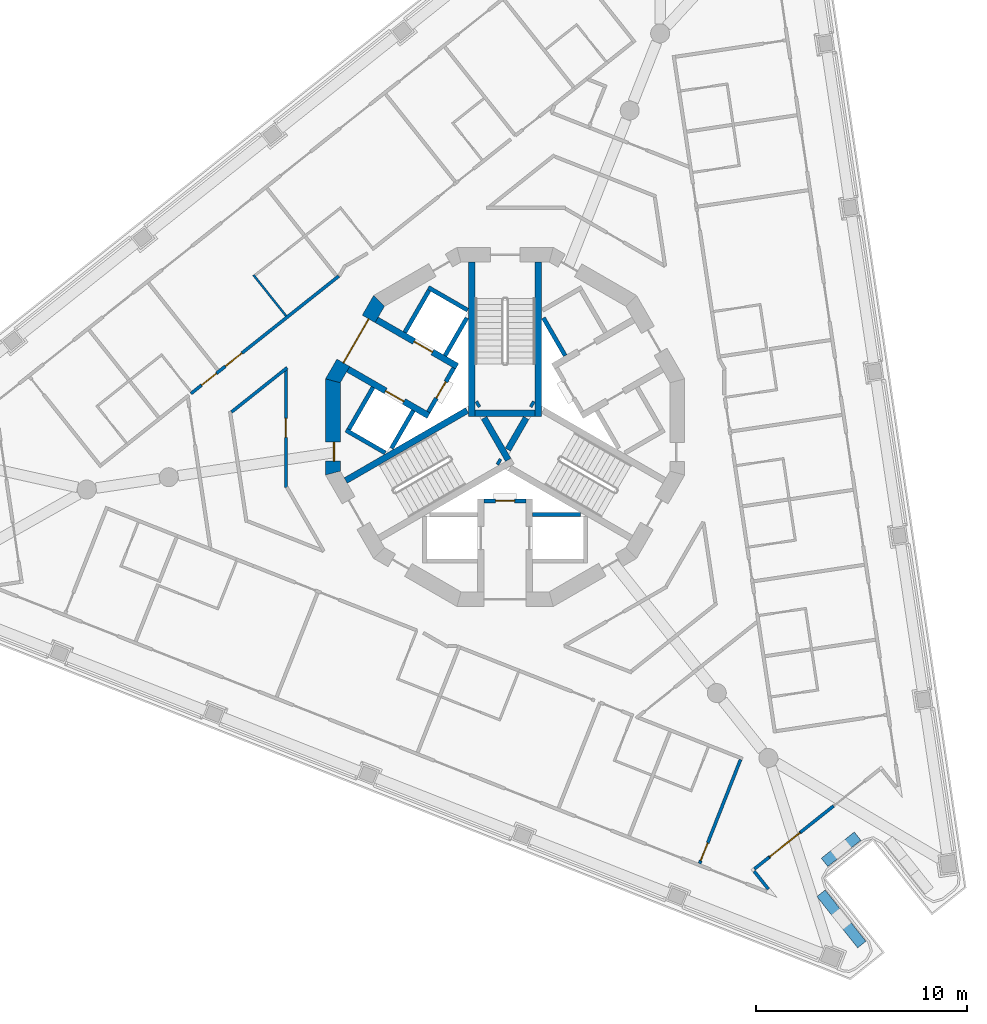
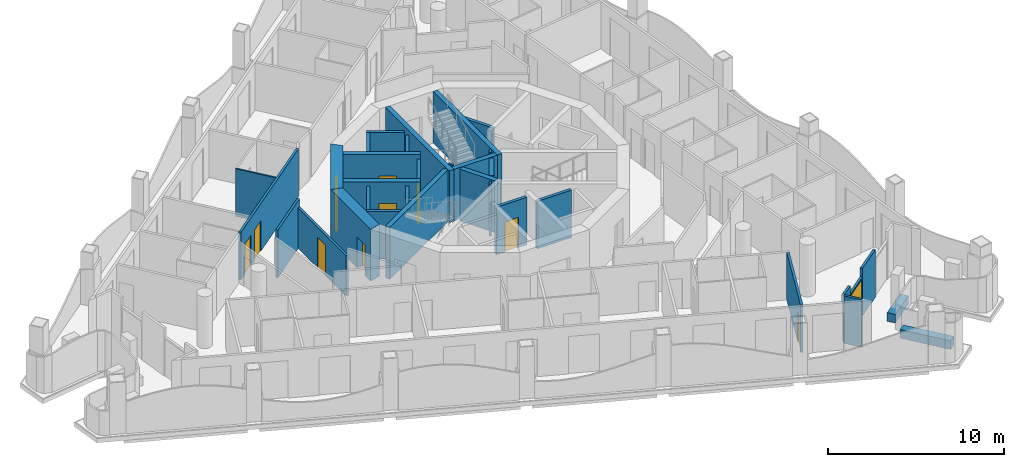
# One storey, part 4 of 16: 34 walls, 11 doors, 11 openings.
"""IFC4 building model written with IfcOpenShell, lengths in metres."""

from ifc_helpers import new_model, si_unit, direction, frame, frame_2d, origin, place, context, subcontext, project, spatial, polyline, rectangle, outline, extrude, material, layer, layer_set, type_object, element, fill, save


model = new_model("IFC4")

# Units and contexts
model_context = context("Model", 3, precision=1e-05, world=origin(), true_north=direction((0.0, 1.0)))
body_context = subcontext(model_context, "Body", "Model", "MODEL_VIEW")
ifc_project = project(units=[si_unit("LENGTHUNIT", "METRE"), si_unit("AREAUNIT", "SQUARE_METRE"), si_unit("VOLUMEUNIT", "CUBIC_METRE"), si_unit("PLANEANGLEUNIT", "RADIAN"), si_unit("MASSUNIT", "GRAM", prefix="KILO")], contexts=[model_context])

# Site, building, storey
site_placement = place(None, origin())
site = spatial("IfcSite", under=ifc_project, at=site_placement, CompositionType="ELEMENT")
building_placement = place(site_placement, origin())
building = spatial("IfcBuilding", under=site, at=building_placement, Name="Trine Commons Tower", CompositionType="ELEMENT")
storey_placement = place(building_placement, frame((0.0, 0.0, 223.199951171875)))
storey = spatial("IfcBuildingStorey", under=building, at=storey_placement, Name="L58", CompositionType="ELEMENT", Elevation=223.199951171875)

# Wall
ifc_material_1 = material(Name="Aluminium-framed insulated wall panel", Category="aluminium")
ifc_layer_1 = layer(ifc_material_1, 0.14990234375)
ifc_layer_set_1 = layer_set([ifc_layer_1], Name="Aluminium-framed insulated wall panel")
wall_type_1 = type_object("IfcWallType", Name="Glazed frame wall 150, EI 60", PredefinedType="SOLIDWALL", material=ifc_layer_set_1)
wall_1_placement = place(storey_placement, frame((95.546142578125, 44.562255859375, 0.0), z_axis=(0.0, 0.0, 1.0), x_axis=(-0.782580779818, -0.622549052733, 0.0)))
element("IfcWall", 1, at=wall_1_placement, inside=storey, type_object=wall_type_1, Name="Glazed frame wall P2.3", PredefinedType="SOLIDWALL", context=body_context, shape_type="SweptSolid", body=[
    extrude(outline(polyline([(0.0, -0.074951171875), (2.0, -0.074951171875), (2.0, 0.074951171875), (0.0, 0.074951171875), (0.0, -0.074951171875)])), origin(), (0.0, 0.0, 1.0), 3.300048828125),
])

# Wall, opening, door
wall_2_placement = place(storey_placement, frame((93.98095703125, 43.317138671875, 0.0), z_axis=(0.0, 0.0, 1.0), x_axis=(-0.782670764896, -0.622435919415, 0.0)))
wall_2 = element("IfcWall", 2, at=wall_2_placement, inside=storey, type_object=wall_type_1, Name="Glazed frame wall P2.4", PredefinedType="SOLIDWALL", context=body_context, shape_type="SweptSolid", body=[
    extrude(outline(polyline([(0.0, -0.074951171875), (1.89990234375, -0.074951171875), (1.89990234375, 0.074951171875), (0.0, 0.074951171875), (0.0, -0.074951171875)])), origin(), (0.0, 0.0, 1.0), 2.699951171875),
])
opening_1_placement = place(wall_2_placement, frame((0.050048828125, 0.0, 0.0)))
opening_1 = element("IfcOpeningElement", 3, at=opening_1_placement, cuts=wall_2, Name="Opening BD-6P2-02", PredefinedType="OPENING", context=body_context, shape_type="SweptSolid", body=[
    extrude(rectangle(XDim=1.800048828125, YDim=2.60009765625, at=frame_2d((0.89990234375, 1.300048828125))), frame((0.0, 0.0849609375, 0.0), z_axis=(0.0, -1.0, 0.0), x_axis=(1.0, 0.0, 0.0)), (0.0, 0.0, 1.0), 0.169921875),
])
ifc_material_2 = material(Name="Anodised aluminium frame with double glazing", Category="aluminium")
door_type_1 = type_object("IfcDoorType", Name="Sliding loggia door 1800x2600", OperationType="SLIDING_TO_LEFT", PredefinedType="DOOR", material=ifc_material_2)
door_1_placement = place(opening_1_placement, origin())
door_1 = element("IfcDoor", 4, at=door_1_placement, inside=storey, type_object=door_type_1, Name="Loggia door P2 2", OperationType="SLIDING_TO_LEFT", OverallHeight=2.60009765625, OverallWidth=1.800048828125, PredefinedType="DOOR", context=body_context, shape_type="SweptSolid", body=[
    extrude(rectangle(XDim=1.800048828125, YDim=2.60009765625, at=frame_2d((0.89990234375, 1.300048828125))), frame((0.0, 0.02490234375, 0.0), z_axis=(0.0, -1.0, 0.0), x_axis=(1.0, 0.0, 0.0)), (0.0, 0.0, 1.0), 0.050048828125),
])
fill(opening_1, door_1)

# Walls
wall_3_placement = place(storey_placement, frame((92.493896484375, 42.134521484375, 0.0), z_axis=(0.0, 0.0, 1.0), x_axis=(-0.782628082779, -0.622489585492, 0.0)))
element("IfcWall", 5, at=wall_3_placement, inside=storey, type_object=wall_type_1, Name="Glazed frame wall P2.5", PredefinedType="SOLIDWALL", context=body_context, shape_type="SweptSolid", body=[
    extrude(outline(polyline([(0.889892578125, 0.074951171875), (0.0, 0.074951171875), (0.0, -0.074951171875), (0.889892578125, -0.074951171875), (0.889892578125, 0.074951171875)])), origin(), (0.0, 0.0, 1.0), 3.300048828125),
])
wall_4_placement = place(storey_placement, frame((91.716796875, 41.56103515625, 0.0), z_axis=(0.0, 0.0, 1.0), x_axis=(0.622611995912, -0.7825307039, 0.0)))
element("IfcWall", 6, at=wall_4_placement, inside=storey, type_object=wall_type_1, Name="Glazed frame wall R8", PredefinedType="SOLIDWALL", context=body_context, shape_type="SweptSolid", body=[
    extrude(outline(polyline([(0.110107421875, 0.074951171875), (0.110107421875, -0.074951171875), (1.19580078125, -0.074951171875), (1.19580078125, 0.074951171875), (0.110107421875, 0.074951171875)])), origin(), (0.0, 0.0, 1.0), 3.300048828125),
])

# Wall, opening, door
ifc_material_3 = material(Name="Fire-rated gypsum shaft wall system")
ifc_layer_2 = layer(ifc_material_3, 0.199951171875)
ifc_layer_set_2 = layer_set([ifc_layer_2], Name="Fire-rated gypsum shaft wall system")
wall_type_2 = type_object("IfcWallType", Name="Lobby end wall 200 mm, EI 120", PredefinedType="PARTITIONING", material=ifc_layer_set_2)
wall_5_placement = place(storey_placement, frame((77.569091796875, 65.2890625, 0.0), z_axis=(0.0, 0.0, 1.0), x_axis=(-0.50012165622, -0.865955154139, 0.0)))
wall_5 = element("IfcWall", 7, at=wall_5_placement, inside=storey, type_object=wall_type_2, Name="Lobby end wall L58", PredefinedType="PARTITIONING", context=body_context, shape_type="SweptSolid", body=[
    extrude(rectangle(XDim=2.39990234375, YDim=0.199951171875, at=frame_2d((1.199951171875, 0.0))), origin(), (0.0, 0.0, 1.0), 3.300048828125),
])
opening_2_placement = place(wall_5_placement, frame((0.749755859375, 0.0, 0.0)))
opening_2 = element("IfcOpeningElement", 8, at=opening_2_placement, cuts=wall_5, Name="Opening K16.07", PredefinedType="OPENING", context=body_context, shape_type="SweptSolid", body=[
    extrude(rectangle(XDim=0.89990234375, YDim=2.10009765625, at=frame_2d((0.449951171875, 1.050048828125))), frame((0.0, 0.10986328125, 0.0), z_axis=(0.0, -1.0, 0.0), x_axis=(1.0, 0.0, 0.0)), (0.0, 0.0, 1.0), 0.219970703125),
])
ifc_material_4 = material(Name="Steel door leaf, fire-rated", Category="steel")
door_type_2 = type_object("IfcDoorType", Name="Riser access door, single leaf 900 x 2100, FD60", OperationType="SINGLE_SWING_LEFT", PredefinedType="DOOR", material=ifc_material_4)
door_2_placement = place(opening_2_placement, frame((0.89990234375, 0.0, 0.0), z_axis=(0.0, 0.0, 1.0), x_axis=(-1.0, 0.0, 0.0)))
door_2 = element("IfcDoor", 9, at=door_2_placement, inside=storey, type_object=door_type_2, Name="Riser door, Mechanical riser L58", OperationType="SINGLE_SWING_RIGHT", OverallHeight=2.10009765625, OverallWidth=0.89990234375, PredefinedType="DOOR", context=body_context, shape_type="SweptSolid", body=[
    extrude(rectangle(XDim=0.89990234375, YDim=2.10009765625, at=frame_2d((0.449951171875, 1.050048828125))), frame((0.0, 0.02490234375, 0.0), z_axis=(0.0, -1.0, 0.0), x_axis=(1.0, 0.0, 0.0)), (0.0, 0.0, 1.0), 0.050048828125),
])
fill(opening_2, door_2)

wall_6_placement = place(storey_placement, frame((79.0, 59.0, 0.0), z_axis=(0.0, 0.0, 1.0), x_axis=(1.0, 0.0, 0.0)))
wall_6 = element("IfcWall", 10, at=wall_6_placement, inside=storey, type_object=wall_type_2, Name="Lobby end wall L58", PredefinedType="PARTITIONING", context=body_context, shape_type="SweptSolid", body=[
    extrude(rectangle(XDim=2.0, YDim=0.199951171875, at=frame_2d((1.0, 0.0))), origin(), (0.0, 0.0, 1.0), 3.300048828125),
])
opening_3_placement = place(wall_6_placement, frame((0.550048828125, 0.0, 0.0)))
opening_3 = element("IfcOpeningElement", 11, at=opening_3_placement, cuts=wall_6, Name="Opening K16.09", PredefinedType="OPENING", context=body_context, shape_type="SweptSolid", body=[
    extrude(rectangle(XDim=0.89990234375, YDim=2.10009765625, at=frame_2d((0.449951171875, 1.050048828125))), frame((0.0, 0.10986328125, 0.0), z_axis=(0.0, -1.0, 0.0), x_axis=(1.0, 0.0, 0.0)), (0.0, 0.0, 1.0), 0.219970703125),
])
door_3_placement = place(opening_3_placement, frame((0.89990234375, 0.0, 0.0), z_axis=(0.0, 0.0, 1.0), x_axis=(-1.0, 0.0, 0.0)))
door_3 = element("IfcDoor", 12, at=door_3_placement, inside=storey, type_object=door_type_2, Name="Riser door, Communications riser L58", OperationType="SINGLE_SWING_RIGHT", OverallHeight=2.10009765625, OverallWidth=0.89990234375, PredefinedType="DOOR", context=body_context, shape_type="SweptSolid", body=[
    extrude(rectangle(XDim=0.89990234375, YDim=2.10009765625, at=frame_2d((0.449951171875, 1.050048828125))), frame((0.0, 0.02490234375, 0.0), z_axis=(0.0, -1.0, 0.0), x_axis=(1.0, 0.0, 0.0)), (0.0, 0.0, 1.0), 0.050048828125),
])
fill(opening_3, door_3)

# Walls
ifc_material_5 = material(Name="Planter trough, precast concrete C40/50", Category="concrete")
ifc_layer_3 = layer(ifc_material_5, 0.5)
ifc_layer_set_3 = layer_set([ifc_layer_3], Name="Planter trough, precast concrete C40/50")
wall_type_3 = type_object("IfcWallType", Name="Planter trough 500x600", PredefinedType="PARAPET", material=ifc_layer_set_3)
wall_7_placement = place(storey_placement, frame((96.68212890625, 43.134033203125, 0.0), z_axis=(0.0, 0.0, 1.0), x_axis=(-0.782580779818, -0.622549052733, 0.0)))
element("IfcWall", 13, at=wall_7_placement, inside=storey, type_object=wall_type_3, Name="Planter 8", PredefinedType="PARAPET", context=body_context, shape_type="SweptSolid", body=[
    extrude(rectangle(XDim=2.0, YDim=0.5, at=frame_2d((1.0, 0.0))), origin(), (0.0, 0.0, 1.0), 0.60009765625),
])
wall_8_placement = place(storey_placement, frame((94.950439453125, 40.427490234375, 0.0), z_axis=(0.0, 0.0, 1.0), x_axis=(0.622550971161, -0.782579253691, 0.0)))
element("IfcWall", 14, at=wall_8_placement, inside=storey, type_object=wall_type_3, Name="Planter 9", PredefinedType="PARAPET", context=body_context, shape_type="SweptSolid", body=[
    extrude(rectangle(XDim=3.10009765625, YDim=0.5, at=frame_2d((1.550048828125, 0.0))), origin(), (0.0, 0.0, 1.0), 0.60009765625),
])

# Wall, opening, door
ifc_material_6 = material(Name="Concrete C60/75", Category="concrete")
ifc_layer_4 = layer(ifc_material_6, 0.300048828125)
ifc_layer_set_4 = layer_set([ifc_layer_4], Name="Concrete C60/75")
wall_type_4 = type_object("IfcWallType", Name="RC shear wall 300 mm, C60/75", PredefinedType="SHEAR", material=ifc_layer_set_4)
wall_9_placement = place(storey_placement, frame((76.381103515625, 63.031005859375, 0.0), z_axis=(0.0, 0.0, 1.0), x_axis=(-0.866059941101, 0.499940174841, 0.0)))
wall_9 = element("IfcWall", 15, at=wall_9_placement, inside=storey, type_object=wall_type_4, Name="Core cross wall SWC-01 L58", PredefinedType="SHEAR", context=body_context, shape_type="SweptSolid", body=[
    extrude(rectangle(XDim=4.400390625, YDim=0.300048828125, at=frame_2d((2.2001953125, 0.0))), origin(), (0.0, 0.0, 1.0), 3.60009765625),
])
opening_4_placement = place(wall_9_placement, frame((1.350341796875, 0.0, 0.0)))
opening_4 = element("IfcOpeningElement", 16, at=opening_4_placement, cuts=wall_9, Name="Opening LD7", PredefinedType="OPENING", context=body_context, shape_type="SweptSolid", body=[
    extrude(rectangle(XDim=1.0, YDim=2.10009765625, at=frame_2d((0.5, 1.050048828125))), frame((0.0, 0.159912109375, 0.0), z_axis=(0.0, -1.0, 0.0), x_axis=(1.0, 0.0, 0.0)), (0.0, 0.0, 1.0), 0.320068359375),
])
ifc_material_7 = material(Name="Stainless steel sliding door leaves", Category="steel")
door_type_3 = type_object("IfcDoorType", Name="Lift landing door, centre-opening sliding 1000 x 2100, FD90", OperationType="DOUBLE_DOOR_SLIDING", PredefinedType="DOOR", material=ifc_material_7)
door_4_placement = place(opening_4_placement, origin())
door_4 = element("IfcDoor", 17, at=door_4_placement, inside=storey, type_object=door_type_3, Name="Lift landing door HR3 L58", OperationType="DOUBLE_DOOR_SLIDING", OverallHeight=2.10009765625, OverallWidth=1.0, PredefinedType="DOOR", context=body_context, shape_type="SweptSolid", body=[
    extrude(rectangle(XDim=1.0, YDim=2.10009765625, at=frame_2d((0.5, 1.050048828125))), frame((0.0, 0.02490234375, 0.0), z_axis=(0.0, -1.0, 0.0), x_axis=(1.0, 0.0, 0.0)), (0.0, 0.0, 1.0), 0.050048828125),
])
fill(opening_4, door_4)

wall_10_placement = place(storey_placement, frame((77.73095703125, 65.368896484375, 0.0), z_axis=(0.0, 0.0, 1.0), x_axis=(-0.866035918664, 0.499981787252, 0.0)))
wall_10 = element("IfcWall", 18, at=wall_10_placement, inside=storey, type_object=wall_type_4, Name="Core cross wall SWC-02 L58", PredefinedType="SHEAR", context=body_context, shape_type="SweptSolid", body=[
    extrude(rectangle(XDim=4.400634765625, YDim=0.300048828125, at=frame_2d((2.2001953125, 0.0))), origin(), (0.0, 0.0, 1.0), 3.60009765625),
])
opening_5_placement = place(wall_10_placement, frame((1.3505859375, 0.0, 0.0)))
opening_5 = element("IfcOpeningElement", 19, at=opening_5_placement, cuts=wall_10, Name="Opening LD8", PredefinedType="OPENING", context=body_context, shape_type="SweptSolid", body=[
    extrude(rectangle(XDim=1.0, YDim=2.10009765625, at=frame_2d((0.5, 1.050048828125))), frame((0.0, 0.159912109375, 0.0), z_axis=(0.0, -1.0, 0.0), x_axis=(1.0, 0.0, 0.0)), (0.0, 0.0, 1.0), 0.320068359375),
])
door_5_placement = place(opening_5_placement, origin())
door_5 = element("IfcDoor", 20, at=door_5_placement, inside=storey, type_object=door_type_3, Name="Lift landing door HR4 L58", OperationType="DOUBLE_DOOR_SLIDING", OverallHeight=2.10009765625, OverallWidth=1.0, PredefinedType="DOOR", context=body_context, shape_type="SweptSolid", body=[
    extrude(rectangle(XDim=1.0, YDim=2.10009765625, at=frame_2d((0.5, 1.050048828125))), frame((0.0, 0.02490234375, 0.0), z_axis=(0.0, -1.0, 0.0), x_axis=(1.0, 0.0, 0.0)), (0.0, 0.0, 1.0), 0.050048828125),
])
fill(opening_5, door_5)

# Walls
wall_11_placement = place(storey_placement, frame((78.199951171875, 63.280029296875, 0.0), z_axis=(0.0, 0.0, 1.0), x_axis=(-0.866009627307, -0.500027324665, 0.0)))
element("IfcWall", 21, at=wall_11_placement, inside=storey, type_object=wall_type_4, Name="Core cross wall SWC-07 L58", PredefinedType="SHEAR", context=body_context, shape_type="SweptSolid", body=[
    extrude(rectangle(XDim=6.631591796875, YDim=0.300048828125, at=frame_2d((3.31591796875, 0.0))), origin(), (0.0, 0.0, 1.0), 3.60009765625),
])
wall_12_placement = place(storey_placement, frame((78.425048828125, 63.0009765625, 0.0), z_axis=(0.0, 0.0, 1.0), x_axis=(0.0, 1.0, 0.0)))
element("IfcWall", 22, at=wall_12_placement, inside=storey, type_object=wall_type_4, Name="Core cross wall SWC-08 L58", PredefinedType="SHEAR", context=body_context, shape_type="SweptSolid", body=[
    extrude(rectangle(XDim=7.299072265625, YDim=0.300048828125, at=frame_2d((3.6494140625, 0.0))), origin(), (0.0, 0.0, 1.0), 3.60009765625),
])
wall_13_placement = place(storey_placement, frame((78.779052734375, 63.614013671875, 0.0), z_axis=(0.0, 0.0, 1.0), x_axis=(-0.867737973955, -0.497021939713, 0.0)))
element("IfcWall", 23, at=wall_13_placement, inside=storey, type_object=wall_type_4, Name="Core cross wall SWC-09 L58", PredefinedType="SHEAR", context=body_context, shape_type="SweptSolid", body=[
    extrude(rectangle(XDim=0.14892578125, YDim=0.300048828125, at=frame_2d((0.074462890625, 0.0))), origin(), (0.0, 0.0, 1.0), 3.60009765625),
])
wall_14_placement = place(storey_placement, frame((79.0029296875, 62.926025390625, 0.0), z_axis=(0.0, 0.0, 1.0), x_axis=(0.499965247104, -0.866045467449, 0.0)))
element("IfcWall", 24, at=wall_14_placement, inside=storey, type_object=wall_type_4, Name="Core cross wall SWC-10 L58", PredefinedType="SHEAR", context=body_context, shape_type="SweptSolid", body=[
    extrude(rectangle(XDim=2.292236328125, YDim=0.300048828125, at=frame_2d((1.14599609375, 0.0))), origin(), (0.0, 0.0, 1.0), 3.60009765625),
])
wall_15_placement = place(storey_placement, frame((79.64599609375, 60.885986328125, 0.0), z_axis=(0.0, 0.0, 1.0), x_axis=(0.867331893649, -0.497730234424, 0.0)))
element("IfcWall", 25, at=wall_15_placement, inside=storey, type_object=wall_type_4, Name="Core cross wall SWC-11 L58", PredefinedType="SHEAR", context=body_context, shape_type="SweptSolid", body=[
    extrude(rectangle(XDim=0.148681640625, YDim=0.300048828125, at=frame_2d((0.07421875, 0.0))), origin(), (0.0, 0.0, 1.0), 3.60009765625),
])
wall_16_placement = place(storey_placement, frame((80.1298828125, 61.424072265625, 0.0), z_axis=(0.0, 0.0, 1.0), x_axis=(0.500014901547, 0.866016800201, 0.0)))
element("IfcWall", 26, at=wall_16_placement, inside=storey, type_object=wall_type_4, Name="Core cross wall SWC-12 L58", PredefinedType="SHEAR", context=body_context, shape_type="SweptSolid", body=[
    extrude(rectangle(XDim=1.734375, YDim=0.300048828125, at=frame_2d((0.8671875, 0.0))), origin(), (0.0, 0.0, 1.0), 3.60009765625),
])
wall_17_placement = place(storey_placement, frame((81.220947265625, 63.614013671875, 0.0), z_axis=(0.0, 0.0, 1.0), x_axis=(0.867737973955, -0.497021939713, 0.0)))
element("IfcWall", 27, at=wall_17_placement, inside=storey, type_object=wall_type_4, Name="Core cross wall SWC-15 L58", PredefinedType="SHEAR", context=body_context, shape_type="SweptSolid", body=[
    extrude(rectangle(XDim=0.14892578125, YDim=0.300048828125, at=frame_2d((0.074462890625, 0.0))), origin(), (0.0, 0.0, 1.0), 3.60009765625),
])
wall_18_placement = place(storey_placement, frame((81.425048828125, 63.15087890625, 0.0), z_axis=(0.0, 0.0, 1.0), x_axis=(-1.0, 0.0, 0.0)))
element("IfcWall", 28, at=wall_18_placement, inside=storey, type_object=wall_type_4, Name="Core cross wall SWC-16 L58", PredefinedType="SHEAR", context=body_context, shape_type="SweptSolid", body=[
    extrude(rectangle(XDim=2.85009765625, YDim=0.300048828125, at=frame_2d((1.425048828125, 0.0))), origin(), (0.0, 0.0, 1.0), 3.60009765625),
])
wall_19_placement = place(storey_placement, frame((81.574951171875, 63.0009765625, 0.0), z_axis=(0.0, 0.0, 1.0), x_axis=(0.0, 1.0, 0.0)))
element("IfcWall", 29, at=wall_19_placement, inside=storey, type_object=wall_type_4, Name="Core cross wall SWC-17 L58", PredefinedType="SHEAR", context=body_context, shape_type="SweptSolid", body=[
    extrude(rectangle(XDim=7.299072265625, YDim=0.300048828125, at=frame_2d((3.6494140625, 0.0))), origin(), (0.0, 0.0, 1.0), 3.60009765625),
])

# Wall, opening, door
ifc_layer_5 = layer(ifc_material_6, 0.699951171875)
ifc_layer_set_5 = layer_set([ifc_layer_5], Name="Concrete C60/75")
wall_type_5 = type_object("IfcWallType", Name="RC shear wall 700 mm, C60/75", PredefinedType="SHEAR", material=ifc_layer_set_5)
wall_20_placement = place(storey_placement, frame((74.08056640625, 68.547607421875, 0.0), z_axis=(0.0, 0.0, 1.0), x_axis=(-0.499983800959, -0.866034756103, 0.0)))
wall_20 = element("IfcWall", 30, at=wall_20_placement, inside=storey, type_object=wall_type_5, Name="Core wall CWF-06 L58", PredefinedType="SHEAR", context=body_context, shape_type="SweptSolid", body=[
    extrude(outline(polyline([(0.0, -0.35009765625), (4.55517578125, -0.35009765625), (4.36767578125, 0.35009765625), (0.1875, 0.35009765625), (0.0, -0.35009765625)])), origin(), (0.0, 0.0, 1.0), 3.60009765625),
])
opening_6_placement = place(wall_20_placement, frame((1.077392578125, 0.0, 0.0)))
opening_6 = element("IfcOpeningElement", 31, at=opening_6_placement, cuts=wall_20, Name="Opening K16.06", PredefinedType="OPENING", context=body_context, shape_type="SweptSolid", body=[
    extrude(rectangle(XDim=2.39990234375, YDim=2.10009765625, at=frame_2d((1.199951171875, 1.050048828125))), frame((0.0, 0.35986328125, 0.0), z_axis=(0.0, -1.0, 0.0), x_axis=(1.0, 0.0, 0.0)), (0.0, 0.0, 1.0), 0.719970703125),
])
ifc_material_8 = material(Name="Steel door leaves, fire-rated", Category="steel")
door_type_4 = type_object("IfcDoorType", Name="Lobby door, double leaf 2400 x 2100, FD60", OperationType="DOUBLE_DOOR_SINGLE_SWING", PredefinedType="DOOR", material=ifc_material_8)
door_6_placement = place(opening_6_placement, origin())
door_6 = element("IfcDoor", 32, at=door_6_placement, inside=storey, type_object=door_type_4, Name="Lobby door, Passenger lift lobby B L58", OperationType="DOUBLE_DOOR_SINGLE_SWING", OverallHeight=2.10009765625, OverallWidth=2.39990234375, PredefinedType="DOOR", context=body_context, shape_type="SweptSolid", body=[
    extrude(rectangle(XDim=2.39990234375, YDim=2.10009765625, at=frame_2d((1.199951171875, 1.050048828125))), frame((0.0, 0.02490234375, 0.0), z_axis=(0.0, -1.0, 0.0), x_axis=(1.0, 0.0, 0.0)), (0.0, 0.0, 1.0), 0.050048828125),
])
fill(opening_6, door_6)

wall_21_placement = place(storey_placement, frame((71.849853515625, 64.777587890625, 0.0), z_axis=(0.0, 0.0, 1.0), x_axis=(0.0, -1.0, 0.0)))
wall_21 = element("IfcWall", 33, at=wall_21_placement, inside=storey, type_object=wall_type_5, Name="Core wall CWF-07 L58", PredefinedType="SHEAR", context=body_context, shape_type="SweptSolid", body=[
    extrude(outline(polyline([(0.0, -0.35009765625), (4.55517578125, -0.35009765625), (4.36767578125, 0.35009765625), (0.1875, 0.35009765625), (0.0, -0.35009765625)])), origin(), (0.0, 0.0, 1.0), 3.60009765625),
])
opening_7_placement = place(wall_21_placement, frame((2.99169921875, 0.0, 0.0)))
opening_7 = element("IfcOpeningElement", 34, at=opening_7_placement, cuts=wall_21, Name="Opening K16.14", PredefinedType="OPENING", context=body_context, shape_type="SweptSolid", body=[
    extrude(rectangle(XDim=0.89990234375, YDim=2.10009765625, at=frame_2d((0.449951171875, 1.050048828125))), frame((0.0, 0.35986328125, 0.0), z_axis=(0.0, -1.0, 0.0), x_axis=(1.0, 0.0, 0.0)), (0.0, 0.0, 1.0), 0.719970703125),
])
door_type_5 = type_object("IfcDoorType", Name="Core room door, single leaf 900 x 2100, FD30S", OperationType="SINGLE_SWING_LEFT", PredefinedType="DOOR", material=ifc_material_4)
door_7_placement = place(opening_7_placement, origin())
door_7 = element("IfcDoor", 35, at=door_7_placement, inside=storey, type_object=door_type_5, Name="Door to Pantry L58", OperationType="SINGLE_SWING_RIGHT", OverallHeight=2.10009765625, OverallWidth=0.89990234375, PredefinedType="DOOR", context=body_context, shape_type="SweptSolid", body=[
    extrude(rectangle(XDim=0.89990234375, YDim=2.10009765625, at=frame_2d((0.449951171875, 1.050048828125))), frame((0.0, 0.0751953125, 0.0), z_axis=(0.0, -1.0, 0.0), x_axis=(1.0, 0.0, 0.0)), (0.0, 0.0, 1.0), 0.050048828125),
])
fill(opening_7, door_7)

# Walls
ifc_layer_6 = layer(ifc_material_3, 0.199951171875)
ifc_layer_set_6 = layer_set([ifc_layer_6], Name="Fire-rated gypsum shaft wall system")
wall_type_6 = type_object("IfcWallType", Name="Shaft wall 200 mm, EI 120", PredefinedType="PARTITIONING", material=ifc_layer_set_6)
wall_22_placement = place(storey_placement, frame((73.7509765625, 64.3759765625, 0.0), z_axis=(0.0, 0.0, 1.0), x_axis=(-0.500136062276, -0.86594683394, 0.0)))
element("IfcWall", 36, at=wall_22_placement, inside=storey, type_object=wall_type_6, Name="Shaft wall L58", PredefinedType="PARTITIONING", context=body_context, shape_type="SweptSolid", body=[
    extrude(rectangle(XDim=2.299072265625, YDim=0.199951171875, at=frame_2d((1.1494140625, 0.0))), origin(), (0.0, 0.0, 1.0), 3.300048828125),
])
wall_23_placement = place(storey_placement, frame((74.324951171875, 61.27392578125, 0.0), z_axis=(0.0, 0.0, 1.0), x_axis=(-0.866102336459, 0.499866725018, 0.0)))
element("IfcWall", 37, at=wall_23_placement, inside=storey, type_object=wall_type_6, Name="Shaft wall L58", PredefinedType="PARTITIONING", context=body_context, shape_type="SweptSolid", body=[
    extrude(rectangle(XDim=2.1484375, YDim=0.199951171875, at=frame_2d((1.07421875, 0.0))), origin(), (0.0, 0.0, 1.0), 3.300048828125),
])
wall_24_placement = place(storey_placement, frame((75.2509765625, 66.97412109375, 0.0), z_axis=(0.0, 0.0, 1.0), x_axis=(0.500136062276, 0.86594683394, 0.0)))
element("IfcWall", 38, at=wall_24_placement, inside=storey, type_object=wall_type_6, Name="Shaft wall L58", PredefinedType="PARTITIONING", context=body_context, shape_type="SweptSolid", body=[
    extrude(rectangle(XDim=2.299072265625, YDim=0.199951171875, at=frame_2d((1.1494140625, 0.0))), origin(), (0.0, 0.0, 1.0), 3.300048828125),
])
wall_25_placement = place(storey_placement, frame((75.656005859375, 63.27587890625, 0.0), z_axis=(0.0, 0.0, 1.0), x_axis=(-0.500271688072, -0.86586848777, 0.0)))
element("IfcWall", 39, at=wall_25_placement, inside=storey, type_object=wall_type_6, Name="Shaft wall L58", PredefinedType="PARTITIONING", context=body_context, shape_type="SweptSolid", body=[
    extrude(rectangle(XDim=2.064697265625, YDim=0.199951171875, at=frame_2d((1.0322265625, 0.0))), origin(), (0.0, 0.0, 1.0), 3.300048828125),
])
wall_26_placement = place(storey_placement, frame((77.156005859375, 65.8740234375, 0.0), z_axis=(0.0, 0.0, 1.0), x_axis=(0.499865770674, 0.866102887253, 0.0)))
element("IfcWall", 40, at=wall_26_placement, inside=storey, type_object=wall_type_6, Name="Shaft wall L58", PredefinedType="PARTITIONING", context=body_context, shape_type="SweptSolid", body=[
    extrude(rectangle(XDim=2.064453125, YDim=0.199951171875, at=frame_2d((1.0322265625, 0.0))), origin(), (0.0, 0.0, 1.0), 3.300048828125),
])
wall_27_placement = place(storey_placement, frame((78.22509765625, 68.028076171875, 0.0), z_axis=(0.0, 0.0, 1.0), x_axis=(-0.866130725101, 0.499817533742, 0.0)))
element("IfcWall", 41, at=wall_27_placement, inside=storey, type_object=wall_type_6, Name="Shaft wall L58", PredefinedType="PARTITIONING", context=body_context, shape_type="SweptSolid", body=[
    extrude(rectangle(XDim=2.148681640625, YDim=0.199951171875, at=frame_2d((1.07421875, 0.0))), origin(), (0.0, 0.0, 1.0), 3.300048828125),
])
wall_28_placement = place(storey_placement, frame((81.300048828125, 58.35009765625, 0.0), z_axis=(0.0, 0.0, 1.0), x_axis=(1.0, 0.0, 0.0)))
element("IfcWall", 42, at=wall_28_placement, inside=storey, type_object=wall_type_6, Name="Shaft wall L58", PredefinedType="PARTITIONING", context=body_context, shape_type="SweptSolid", body=[
    extrude(rectangle(XDim=2.264892578125, YDim=0.199951171875, at=frame_2d((1.13232421875, 0.0))), origin(), (0.0, 0.0, 1.0), 3.300048828125),
])
wall_29_placement = place(storey_placement, frame((82.843994140625, 65.8740234375, 0.0), z_axis=(0.0, 0.0, 1.0), x_axis=(-0.499865770674, 0.866102887253, 0.0)))
element("IfcWall", 43, at=wall_29_placement, inside=storey, type_object=wall_type_6, Name="Shaft wall L58", PredefinedType="PARTITIONING", context=body_context, shape_type="SweptSolid", body=[
    extrude(rectangle(XDim=2.064453125, YDim=0.199951171875, at=frame_2d((1.0322265625, 0.0))), origin(), (0.0, 0.0, 1.0), 3.300048828125),
])

# Wall, openings, doors
ifc_material_9 = material(Name="Gypsum plasterboard on steel stud", Category="steel")
ifc_layer_7 = layer(ifc_material_9, 0.14990234375)
ifc_layer_set_7 = layer_set([ifc_layer_7], Name="Gypsum plasterboard on steel stud")
wall_type_7 = type_object("IfcWallType", Name="Unit and corridor wall 150 mm, EI 60", PredefinedType="PARTITIONING", material=ifc_layer_set_7)
wall_30_placement = place(storey_placement, frame((65.130859375, 64.077880859375, 0.0), z_axis=(0.0, 0.0, 1.0), x_axis=(0.782802105688, 0.622270731539, 0.0)))
wall_30 = element("IfcWall", 44, at=wall_30_placement, inside=storey, type_object=wall_type_7, Name="Partition 018", PredefinedType="PARTITIONING", context=body_context, shape_type="SweptSolid", body=[
    extrude(rectangle(XDim=8.939453125, YDim=0.14990234375, at=frame_2d((4.4697265625, 0.0))), origin(), (0.0, 0.0, 1.0), 3.300048828125),
])
opening_8_placement = place(wall_30_placement, frame((0.63916015625, 0.0, 0.0)))
opening_8 = element("IfcOpeningElement", 45, at=opening_8_placement, cuts=wall_30, Name="Opening D-6C06", PredefinedType="OPENING", context=body_context, shape_type="SweptSolid", body=[
    extrude(rectangle(XDim=0.89990234375, YDim=2.10009765625, at=frame_2d((0.449951171875, 1.050048828125))), frame((0.0, 0.0849609375, 0.0), z_axis=(0.0, -1.0, 0.0), x_axis=(1.0, 0.0, 0.0)), (0.0, 0.0, 1.0), 0.169921875),
])
opening_9_placement = place(wall_30_placement, frame((2.081787109375, 0.0, 0.0)))
opening_9 = element("IfcOpeningElement", 46, at=opening_9_placement, cuts=wall_30, Name="Opening D-6C07", PredefinedType="OPENING", context=body_context, shape_type="SweptSolid", body=[
    extrude(rectangle(XDim=1.0, YDim=2.10009765625, at=frame_2d((0.5, 1.050048828125))), frame((0.0, 0.0849609375, 0.0), z_axis=(0.0, -1.0, 0.0), x_axis=(1.0, 0.0, 0.0)), (0.0, 0.0, 1.0), 0.169921875),
])
ifc_material_10 = material(Name="Timber fire door set", Category="wood")
door_type_6 = type_object("IfcDoorType", Name="Bedroom door 1000 x 2100, FD30S", OperationType="NOTDEFINED", PredefinedType="DOOR", material=ifc_material_10)
door_8_placement = place(opening_9_placement, origin())
door_8 = element("IfcDoor", 47, at=door_8_placement, inside=storey, type_object=door_type_6, Name="Door D-6C07", OperationType="SINGLE_SWING_LEFT", OverallHeight=2.10009765625, OverallWidth=1.0, PredefinedType="DOOR", context=body_context, shape_type="SweptSolid", body=[
    extrude(rectangle(XDim=1.0, YDim=2.10009765625, at=frame_2d((0.5, 1.050048828125))), frame((0.0, 0.02490234375, 0.0), z_axis=(0.0, -1.0, 0.0), x_axis=(1.0, 0.0, 0.0)), (0.0, 0.0, 1.0), 0.050048828125),
])
fill(opening_9, door_8)
door_type_7 = type_object("IfcDoorType", Name="Bedroom door 900 x 2100, FD30S", OperationType="NOTDEFINED", PredefinedType="DOOR", material=ifc_material_10)
door_9_placement = place(opening_8_placement, origin())
door_9 = element("IfcDoor", 48, at=door_9_placement, inside=storey, type_object=door_type_7, Name="Door D-6C06", OperationType="SINGLE_SWING_LEFT", OverallHeight=2.10009765625, OverallWidth=0.89990234375, PredefinedType="DOOR", context=body_context, shape_type="SweptSolid", body=[
    extrude(rectangle(XDim=0.89990234375, YDim=2.10009765625, at=frame_2d((0.449951171875, 1.050048828125))), frame((0.0, 0.02490234375, 0.0), z_axis=(0.0, -1.0, 0.0), x_axis=(1.0, 0.0, 0.0)), (0.0, 0.0, 1.0), 0.050048828125),
])
fill(opening_8, door_9)

# Wall
wall_31_placement = place(storey_placement, frame((67.0498046875, 63.206787109375, 0.0), z_axis=(0.0, 0.0, 1.0), x_axis=(0.782472540885, 0.622685091166, 0.0)))
element("IfcWall", 49, at=wall_31_placement, inside=storey, type_object=wall_type_7, Name="Partition 023", PredefinedType="PARTITIONING", context=body_context, shape_type="SweptSolid", body=[
    extrude(rectangle(XDim=3.365966796875, YDim=0.14990234375, at=frame_2d((1.68310546875, 0.0))), origin(), (0.0, 0.0, 1.0), 3.300048828125),
])

# Wall, opening, door
wall_32_placement = place(storey_placement, frame((69.625, 59.64501953125, 0.0), z_axis=(0.0, 0.0, 1.0), x_axis=(0.0, 1.0, 0.0)))
wall_32 = element("IfcWall", 50, at=wall_32_placement, inside=storey, type_object=wall_type_7, Name="Partition 031", PredefinedType="PARTITIONING", context=body_context, shape_type="SweptSolid", body=[
    extrude(rectangle(XDim=5.5400390625, YDim=0.14990234375, at=frame_2d((2.77001953125, 0.0))), origin(), (0.0, 0.0, 1.0), 2.800048828125),
])
opening_10_placement = place(wall_32_placement, frame((2.357421875, 0.0, 0.0)))
opening_10 = element("IfcOpeningElement", 51, at=opening_10_placement, cuts=wall_32, Name="Opening D-6C28", PredefinedType="OPENING", context=body_context, shape_type="SweptSolid", body=[
    extrude(rectangle(XDim=0.89990234375, YDim=2.10009765625, at=frame_2d((0.449951171875, 1.050048828125))), frame((0.0, 0.0849609375, 0.0), z_axis=(0.0, -1.0, 0.0), x_axis=(1.0, 0.0, 0.0)), (0.0, 0.0, 1.0), 0.169921875),
])
door_type_8 = type_object("IfcDoorType", Name="Service door 900 x 2100, FD30S", OperationType="NOTDEFINED", PredefinedType="DOOR", material=ifc_material_10)
door_10_placement = place(opening_10_placement, origin())
door_10 = element("IfcDoor", 52, at=door_10_placement, inside=storey, type_object=door_type_8, Name="Door D-6C28", OperationType="SINGLE_SWING_RIGHT", OverallHeight=2.10009765625, OverallWidth=0.89990234375, PredefinedType="DOOR", context=body_context, shape_type="SweptSolid", body=[
    extrude(rectangle(XDim=0.89990234375, YDim=2.10009765625, at=frame_2d((0.449951171875, 1.050048828125))), frame((0.0, 0.02490234375, 0.0), z_axis=(0.0, -1.0, 0.0), x_axis=(1.0, 0.0, 0.0)), (0.0, 0.0, 1.0), 0.050048828125),
])
fill(opening_10, door_10)

wall_33_placement = place(storey_placement, frame((89.20458984375, 41.838134765625, 0.0), z_axis=(0.0, 0.0, 1.0), x_axis=(0.366526942071, 0.930407438027, 0.0)))
wall_33 = element("IfcWall", 53, at=wall_33_placement, inside=storey, type_object=wall_type_7, Name="Partition 093", PredefinedType="PARTITIONING", context=body_context, shape_type="SweptSolid", body=[
    extrude(rectangle(XDim=5.28466796875, YDim=0.14990234375, at=frame_2d((2.642333984375, 0.0))), origin(), (0.0, 0.0, 1.0), 3.300048828125),
])
opening_11_placement = place(wall_33_placement, frame((0.14990234375, 0.0, 0.0)))
opening_11 = element("IfcOpeningElement", 54, at=opening_11_placement, cuts=wall_33, Name="Opening D-6C20", PredefinedType="OPENING", context=body_context, shape_type="SweptSolid", body=[
    extrude(rectangle(XDim=0.89990234375, YDim=2.10009765625, at=frame_2d((0.449951171875, 1.050048828125))), frame((0.0, 0.0849609375, 0.0), z_axis=(0.0, -1.0, 0.0), x_axis=(1.0, 0.0, 0.0)), (0.0, 0.0, 1.0), 0.169921875),
])
door_11_placement = place(opening_11_placement, origin())
door_11 = element("IfcDoor", 55, at=door_11_placement, inside=storey, type_object=door_type_7, Name="Door D-6C20", OperationType="SINGLE_SWING_LEFT", OverallHeight=2.10009765625, OverallWidth=0.89990234375, PredefinedType="DOOR", context=body_context, shape_type="SweptSolid", body=[
    extrude(rectangle(XDim=0.89990234375, YDim=2.10009765625, at=frame_2d((0.449951171875, 1.050048828125))), frame((0.0, 0.02490234375, 0.0), z_axis=(0.0, -1.0, 0.0), x_axis=(1.0, 0.0, 0.0)), (0.0, 0.0, 1.0), 0.050048828125),
])
fill(opening_11, door_11)

# Wall
ifc_layer_8 = layer(ifc_material_9, 0.10009765625)
ifc_layer_set_8 = layer_set([ifc_layer_8], Name="Gypsum plasterboard on steel stud")
wall_type_8 = type_object("IfcWallType", Name="Unit partition 100 mm, no rating", PredefinedType="PARTITIONING", material=ifc_layer_set_8)
wall_34_placement = place(storey_placement, frame((68.091796875, 69.690185546875, 0.0), z_axis=(0.0, 0.0, 1.0), x_axis=(0.622551031967, -0.782579205319, 0.0)))
element("IfcWall", 56, at=wall_34_placement, inside=storey, type_object=wall_type_8, Name="Partition 027", PredefinedType="PARTITIONING", context=body_context, shape_type="SweptSolid", body=[
    extrude(rectangle(XDim=2.474609375, YDim=0.10009765625, at=frame_2d((1.2373046875, 0.0))), origin(), (0.0, 0.0, 1.0), 3.300048828125),
])

save(model, "model.ifc")
